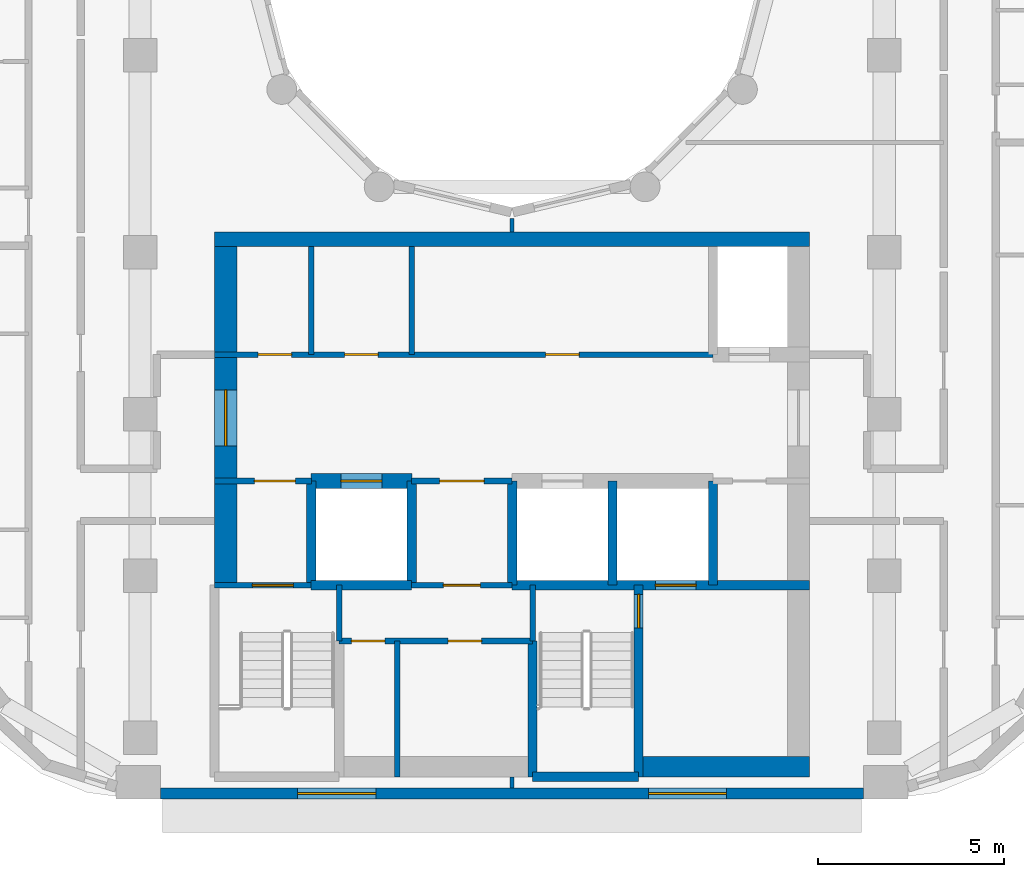
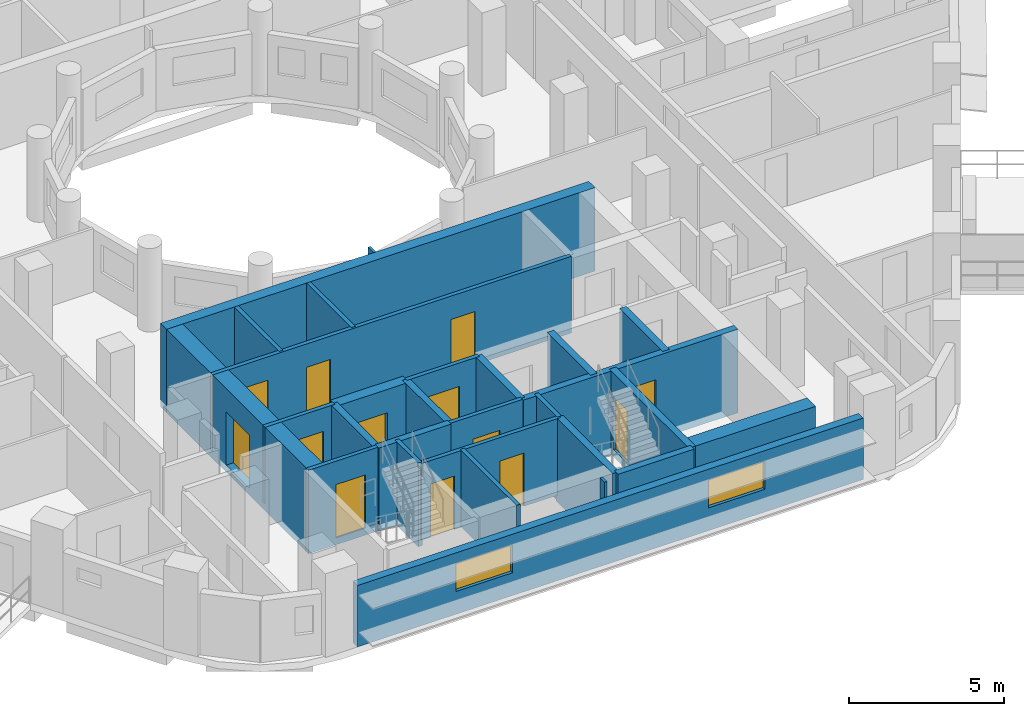
# One storey, part 3 of 15: 28 walls, 13 doors, 2 windows, 15 openings.
"""IFC4 building model written with IfcOpenShell, lengths in metres."""

from ifc_helpers import new_model, si_unit, direction, frame, frame_2d, origin, place, context, subcontext, project, spatial, rectangle, extrude, material, layer, layer_set, type_object, element, fill, save


model = new_model("IFC4")

# Units and contexts
model_context = context("Model", 3, precision=1e-05, world=origin(), true_north=direction((0.0, 1.0)))
body_context = subcontext(model_context, "Body", "Model", "MODEL_VIEW")
ifc_project = project(units=[si_unit("LENGTHUNIT", "METRE"), si_unit("AREAUNIT", "SQUARE_METRE"), si_unit("VOLUMEUNIT", "CUBIC_METRE"), si_unit("PLANEANGLEUNIT", "RADIAN"), si_unit("MASSUNIT", "GRAM", prefix="KILO")], contexts=[model_context])

# Site, building, storey
site_placement = place(None, origin())
site = spatial("IfcSite", under=ifc_project, at=site_placement, CompositionType="ELEMENT")
building_placement = place(site_placement, origin())
building = spatial("IfcBuilding", under=site, at=building_placement, Name="Nakaniwa Court", CompositionType="ELEMENT")
storey_placement = place(building_placement, frame((0.0, 0.0, 189.89990234375)))
storey = spatial("IfcBuildingStorey", under=building, at=storey_placement, Name="L49", CompositionType="ELEMENT", Elevation=189.89990234375)

# Wall, openings, windows
ifc_material_1 = material(Name="Charcoal ceramic cladding")
ifc_layer_1 = layer(ifc_material_1, 0.02, Name="Ceramic cladding")
ifc_material_2 = material(Name="Ventilated air cavity")
ifc_layer_2 = layer(ifc_material_2, 0.04, ventilated=True, Name="Ventilated cavity")
ifc_material_3 = material(Name="Mineral wool insulation")
ifc_layer_3 = layer(ifc_material_3, 0.1, Name="Insulation")
ifc_material_4 = material(Name="Cement bonded sheathing board")
ifc_layer_4 = layer(ifc_material_4, 0.012, Name="Sheathing")
ifc_material_5 = material(Name="Cold-formed galvanised stud frame with mineral wool infill")
ifc_layer_5 = layer(ifc_material_5, 0.1, Name="Stud frame")
ifc_material_6 = material(Name="Fire-rated gypsum plasterboard lining")
ifc_layer_6 = layer(ifc_material_6, 0.028, Name="Lining")
ifc_layer_set_1 = layer_set([ifc_layer_1, ifc_layer_2, ifc_layer_3, ifc_layer_4, ifc_layer_5, ifc_layer_6], Name="Charcoal ceramic faced external wall system")
wall_type_1 = type_object("IfcWallType", Name="Black ceramic faced external wall 300", PredefinedType="SOLIDWALL", material=ifc_layer_set_1)
wall_1_placement = place(storey_placement, frame((70.55078125, 57.5, 0.0), z_axis=(0.0, 0.0, 1.0), x_axis=(1.0, 0.0, 0.0)))
wall_1 = element("IfcWall", 1, at=wall_1_placement, inside=storey, type_object=wall_type_1, Name="L49 external wall 26", PredefinedType="SOLIDWALL", context=body_context, shape_type="SweptSolid", body=[
    extrude(rectangle(XDim=18.892822265625, YDim=0.300048828125, at=frame_2d((9.4462890625, 0.0))), origin(), (0.0, 0.0, 1.0), 2.425048828125),
])
opening_1_placement = place(wall_1_placement, frame((3.6865234375, 0.0, 0.89990234375)))
opening_1 = element("IfcOpeningElement", 2, at=opening_1_placement, cuts=wall_1, Name="Opening W7.27", PredefinedType="OPENING", context=body_context, shape_type="SweptSolid", body=[
    extrude(rectangle(XDim=2.10009765625, YDim=1.10009765625, at=frame_2d((1.050048828125, 0.550048828125))), frame((0.0, 0.159912109375, 0.0), z_axis=(0.0, -1.0, 0.0), x_axis=(1.0, 0.0, 0.0)), (0.0, 0.0, 1.0), 0.320068359375),
])
opening_2_placement = place(wall_1_placement, frame((13.10888671875, 0.0, 0.89990234375)))
opening_2 = element("IfcOpeningElement", 3, at=opening_2_placement, cuts=wall_1, Name="Opening W7.28", PredefinedType="OPENING", context=body_context, shape_type="SweptSolid", body=[
    extrude(rectangle(XDim=2.10009765625, YDim=1.10009765625, at=frame_2d((1.050048828125, 0.550048828125))), frame((0.0, 0.159912109375, 0.0), z_axis=(0.0, -1.0, 0.0), x_axis=(1.0, 0.0, 0.0)), (0.0, 0.0, 1.0), 0.320068359375),
])
ifc_material_7 = material(Name="Black anodised aluminium frame with dark low-E laminated double glazing", Category="aluminium")
window_type = type_object("IfcWindowType", Name="Dark glass window 2100x1100 sill 900", PartitioningType="SINGLE_PANEL", PredefinedType="WINDOW", material=ifc_material_7)
window_1_placement = place(opening_1_placement, origin())
window_1 = element("IfcWindow", 4, at=window_1_placement, inside=storey, type_object=window_type, Name="L49 habitable room window 26-0", OverallHeight=1.10009765625, OverallWidth=2.10009765625, PartitioningType="SINGLE_PANEL", PredefinedType="WINDOW", context=body_context, shape_type="SweptSolid", body=[
    extrude(rectangle(XDim=2.10009765625, YDim=1.10009765625, at=frame_2d((1.050048828125, 0.550048828125))), frame((0.0, 0.030029296875, 0.0), z_axis=(0.0, -1.0, 0.0), x_axis=(1.0, 0.0, 0.0)), (0.0, 0.0, 1.0), 0.06005859375),
])
fill(opening_1, window_1)
window_2_placement = place(opening_2_placement, origin())
window_2 = element("IfcWindow", 5, at=window_2_placement, inside=storey, type_object=window_type, Name="L49 habitable room window 26-1", OverallHeight=1.10009765625, OverallWidth=2.10009765625, PartitioningType="SINGLE_PANEL", PredefinedType="WINDOW", context=body_context, shape_type="SweptSolid", body=[
    extrude(rectangle(XDim=2.10009765625, YDim=1.10009765625, at=frame_2d((1.050048828125, 0.550048828125))), frame((0.0, 0.030029296875, 0.0), z_axis=(0.0, -1.0, 0.0), x_axis=(1.0, 0.0, 0.0)), (0.0, 0.0, 1.0), 0.06005859375),
])
fill(opening_2, window_2)

# Wall
ifc_material_8 = material(Name="Blockwork partition", Category="masonry")
ifc_layer_7 = layer(ifc_material_8, 0.14990234375)
ifc_layer_set_2 = layer_set([ifc_layer_7], Name="Blockwork partition")
wall_type_2 = type_object("IfcWallType", Name="Blockwork partition 150", PredefinedType="PARTITIONING", material=ifc_layer_set_2)
wall_2_placement = place(storey_placement, frame((74.60009765625, 69.300048828125, 0.0), z_axis=(0.0, 0.0, 1.0), x_axis=(0.0, 1.0, 0.0)))
element("IfcWall", 6, at=wall_2_placement, inside=storey, type_object=wall_type_2, Name="Partition PW-034", PredefinedType="PARTITIONING", context=body_context, shape_type="SweptSolid", body=[
    extrude(rectangle(XDim=2.89990234375, YDim=0.14990234375, at=frame_2d((1.449951171875, 0.0))), origin(), (0.0, 0.0, 1.0), 3.025146484375),
])

# Wall, openings, doors
wall_3_placement = place(storey_placement, frame((72.0, 69.300048828125, 0.0), z_axis=(0.0, 0.0, 1.0), x_axis=(1.0, 0.0, 0.0)))
wall_3 = element("IfcWall", 7, at=wall_3_placement, inside=storey, type_object=wall_type_2, Name="Partition PW-035", PredefinedType="PARTITIONING", context=body_context, shape_type="SweptSolid", body=[
    extrude(rectangle(XDim=13.39990234375, YDim=0.14990234375, at=frame_2d((6.699951171875, 0.0))), origin(), (0.0, 0.0, 1.0), 3.025146484375),
])
opening_3_placement = place(wall_3_placement, frame((1.175048828125, 0.0, 0.0)))
opening_3 = element("IfcOpeningElement", 8, at=opening_3_placement, cuts=wall_3, Name="Opening D-05-07", PredefinedType="OPENING", context=body_context, shape_type="SweptSolid", body=[
    extrude(rectangle(XDim=0.89990234375, YDim=2.10009765625, at=frame_2d((0.449951171875, 1.050048828125))), frame((0.0, 0.0849609375, 0.0), z_axis=(0.0, -1.0, 0.0), x_axis=(1.0, 0.0, 0.0)), (0.0, 0.0, 1.0), 0.169921875),
])
opening_4_placement = place(wall_3_placement, frame((3.5, 0.0, 0.0)))
opening_4 = element("IfcOpeningElement", 9, at=opening_4_placement, cuts=wall_3, Name="Opening D-05-08", PredefinedType="OPENING", context=body_context, shape_type="SweptSolid", body=[
    extrude(rectangle(XDim=0.89990234375, YDim=2.10009765625, at=frame_2d((0.449951171875, 1.050048828125))), frame((0.0, 0.0849609375, 0.0), z_axis=(0.0, -1.0, 0.0), x_axis=(1.0, 0.0, 0.0)), (0.0, 0.0, 1.0), 0.169921875),
])
opening_5_placement = place(wall_3_placement, frame((8.89990234375, 0.0, 0.0)))
opening_5 = element("IfcOpeningElement", 10, at=opening_5_placement, cuts=wall_3, Name="Opening D-05-09", PredefinedType="OPENING", context=body_context, shape_type="SweptSolid", body=[
    extrude(rectangle(XDim=0.89990234375, YDim=2.10009765625, at=frame_2d((0.449951171875, 1.050048828125))), frame((0.0, 0.0849609375, 0.0), z_axis=(0.0, -1.0, 0.0), x_axis=(1.0, 0.0, 0.0)), (0.0, 0.0, 1.0), 0.169921875),
])
ifc_material_9 = material(Name="Fire rated steel door set", Category="steel")
door_type_1 = type_object("IfcDoorType", Name="Service room door 900", OperationType="NOTDEFINED", PredefinedType="DOOR", material=ifc_material_9)
door_1_placement = place(opening_3_placement, origin())
door_1 = element("IfcDoor", 11, at=door_1_placement, inside=storey, type_object=door_type_1, Name="Door D-05-07 L49-012", OperationType="SINGLE_SWING_LEFT", OverallHeight=2.10009765625, OverallWidth=0.89990234375, PredefinedType="DOOR", context=body_context, shape_type="SweptSolid", body=[
    extrude(rectangle(XDim=0.89990234375, YDim=2.10009765625, at=frame_2d((0.449951171875, 1.050048828125))), frame((0.0, 0.02490234375, 0.0), z_axis=(0.0, -1.0, 0.0), x_axis=(1.0, 0.0, 0.0)), (0.0, 0.0, 1.0), 0.050048828125),
])
fill(opening_3, door_1)
door_2_placement = place(opening_4_placement, origin())
door_2 = element("IfcDoor", 12, at=door_2_placement, inside=storey, type_object=door_type_1, Name="Door D-05-08 L49-013", OperationType="SINGLE_SWING_RIGHT", OverallHeight=2.10009765625, OverallWidth=0.89990234375, PredefinedType="DOOR", context=body_context, shape_type="SweptSolid", body=[
    extrude(rectangle(XDim=0.89990234375, YDim=2.10009765625, at=frame_2d((0.449951171875, 1.050048828125))), frame((0.0, 0.02490234375, 0.0), z_axis=(0.0, -1.0, 0.0), x_axis=(1.0, 0.0, 0.0)), (0.0, 0.0, 1.0), 0.050048828125),
])
fill(opening_4, door_2)
door_3_placement = place(opening_5_placement, origin())
door_3 = element("IfcDoor", 13, at=door_3_placement, inside=storey, type_object=door_type_1, Name="Door D-05-09 L49-014", OperationType="SINGLE_SWING_LEFT", OverallHeight=2.10009765625, OverallWidth=0.89990234375, PredefinedType="DOOR", context=body_context, shape_type="SweptSolid", body=[
    extrude(rectangle(XDim=0.89990234375, YDim=2.10009765625, at=frame_2d((0.449951171875, 1.050048828125))), frame((0.0, 0.02490234375, 0.0), z_axis=(0.0, -1.0, 0.0), x_axis=(1.0, 0.0, 0.0)), (0.0, 0.0, 1.0), 0.050048828125),
])
fill(opening_5, door_3)

# Wall
wall_4_placement = place(storey_placement, frame((77.300048828125, 69.300048828125, 0.0), z_axis=(0.0, 0.0, 1.0), x_axis=(0.0, 1.0, 0.0)))
element("IfcWall", 14, at=wall_4_placement, inside=storey, type_object=wall_type_2, Name="Partition PW-041", PredefinedType="PARTITIONING", context=body_context, shape_type="SweptSolid", body=[
    extrude(rectangle(XDim=2.89990234375, YDim=0.14990234375, at=frame_2d((1.449951171875, 0.0))), origin(), (0.0, 0.0, 1.0), 3.025146484375),
])

# Wall, opening, door
wall_5_placement = place(storey_placement, frame((74.60302734375, 65.89990234375, 0.0), z_axis=(0.0, 0.0, 1.0), x_axis=(-1.0, 0.0, 0.0)))
wall_5 = element("IfcWall", 15, at=wall_5_placement, inside=storey, type_object=wall_type_2, Name="Partition PW-042", PredefinedType="PARTITIONING", context=body_context, shape_type="SweptSolid", body=[
    extrude(rectangle(XDim=2.60302734375, YDim=0.14990234375, at=frame_2d((1.301513671875, 0.0))), origin(), (0.0, 0.0, 1.0), 3.025146484375),
])
opening_6_placement = place(wall_5_placement, frame((0.427978515625, 0.0, 0.0)))
opening_6 = element("IfcOpeningElement", 16, at=opening_6_placement, cuts=wall_5, Name="Opening D-08-02", PredefinedType="OPENING", context=body_context, shape_type="SweptSolid", body=[
    extrude(rectangle(XDim=1.10009765625, YDim=2.10009765625, at=frame_2d((0.550048828125, 1.050048828125))), frame((0.0, 0.0849609375, 0.0), z_axis=(0.0, -1.0, 0.0), x_axis=(1.0, 0.0, 0.0)), (0.0, 0.0, 1.0), 0.169921875),
])
door_type_2 = type_object("IfcDoorType", Name="Stair lobby door 1100", OperationType="NOTDEFINED", PredefinedType="DOOR", material=ifc_material_9)
door_4_placement = place(opening_6_placement, origin())
door_4 = element("IfcDoor", 17, at=door_4_placement, inside=storey, type_object=door_type_2, Name="Door D-08-02 L49-015", OperationType="SINGLE_SWING_RIGHT", OverallHeight=2.10009765625, OverallWidth=1.10009765625, PredefinedType="DOOR", context=body_context, shape_type="SweptSolid", body=[
    extrude(rectangle(XDim=1.10009765625, YDim=2.10009765625, at=frame_2d((0.550048828125, 1.050048828125))), frame((0.0, 0.02490234375, 0.0), z_axis=(0.0, -1.0, 0.0), x_axis=(1.0, 0.0, 0.0)), (0.0, 0.0, 1.0), 0.050048828125),
])
fill(opening_6, door_4)

wall_6_placement = place(storey_placement, frame((80.0029296875, 65.89990234375, 0.0), z_axis=(0.0, 0.0, 1.0), x_axis=(-1.0, 0.0, 0.0)))
wall_6 = element("IfcWall", 18, at=wall_6_placement, inside=storey, type_object=wall_type_2, Name="Partition PW-043", PredefinedType="PARTITIONING", context=body_context, shape_type="SweptSolid", body=[
    extrude(rectangle(XDim=2.705810546875, YDim=0.14990234375, at=frame_2d((1.35302734375, 0.0))), origin(), (0.0, 0.0, 1.0), 3.025146484375),
])
opening_7_placement = place(wall_6_placement, frame((0.7529296875, 0.0, 0.0)))
opening_7 = element("IfcOpeningElement", 19, at=opening_7_placement, cuts=wall_6, Name="Opening D-06-02", PredefinedType="OPENING", context=body_context, shape_type="SweptSolid", body=[
    extrude(rectangle(XDim=1.199951171875, YDim=2.10009765625, at=frame_2d((0.60009765625, 1.050048828125))), frame((0.0, 0.0849609375, 0.0), z_axis=(0.0, -1.0, 0.0), x_axis=(1.0, 0.0, 0.0)), (0.0, 0.0, 1.0), 0.169921875),
])
ifc_material_10 = material(Name="Fire rated steel double door set", Category="steel")
door_type_3 = type_object("IfcDoorType", Name="Service passage double door 1200", OperationType="NOTDEFINED", PredefinedType="DOOR", material=ifc_material_10)
door_5_placement = place(opening_7_placement, origin())
door_5 = element("IfcDoor", 20, at=door_5_placement, inside=storey, type_object=door_type_3, Name="Door D-06-02 L49-016", OperationType="DOUBLE_DOOR_SINGLE_SWING", OverallHeight=2.10009765625, OverallWidth=1.199951171875, PredefinedType="DOOR", context=body_context, shape_type="SweptSolid", body=[
    extrude(rectangle(XDim=1.199951171875, YDim=2.10009765625, at=frame_2d((0.60009765625, 1.050048828125))), frame((0.0, 0.02490234375, 0.0), z_axis=(0.0, -1.0, 0.0), x_axis=(1.0, 0.0, 0.0)), (0.0, 0.0, 1.0), 0.050048828125),
])
fill(opening_7, door_5)

wall_7_placement = place(storey_placement, frame((80.0, 63.10009765625, 0.0), z_axis=(0.0, 0.0, 1.0), x_axis=(-1.0, 0.0, 0.0)))
wall_7 = element("IfcWall", 21, at=wall_7_placement, inside=storey, type_object=wall_type_2, Name="Partition PW-053", PredefinedType="PARTITIONING", context=body_context, shape_type="SweptSolid", body=[
    extrude(rectangle(XDim=2.699951171875, YDim=0.14990234375, at=frame_2d((1.35009765625, 0.0))), origin(), (0.0, 0.0, 1.0), 3.025146484375),
])
opening_8_placement = place(wall_7_placement, frame((0.85009765625, 0.0, 0.0)))
opening_8 = element("IfcOpeningElement", 22, at=opening_8_placement, cuts=wall_7, Name="Opening D-23-02", PredefinedType="OPENING", context=body_context, shape_type="SweptSolid", body=[
    extrude(rectangle(XDim=1.0, YDim=2.10009765625, at=frame_2d((0.5, 1.050048828125))), frame((0.0, 0.0849609375, 0.0), z_axis=(0.0, -1.0, 0.0), x_axis=(1.0, 0.0, 0.0)), (0.0, 0.0, 1.0), 0.169921875),
])
door_type_4 = type_object("IfcDoorType", Name="Service room door 1000", OperationType="NOTDEFINED", PredefinedType="DOOR", material=ifc_material_9)
door_6_placement = place(opening_8_placement, origin())
door_6 = element("IfcDoor", 23, at=door_6_placement, inside=storey, type_object=door_type_4, Name="Door D-23-02 L49-018", OperationType="SINGLE_SWING_LEFT", OverallHeight=2.10009765625, OverallWidth=1.0, PredefinedType="DOOR", context=body_context, shape_type="SweptSolid", body=[
    extrude(rectangle(XDim=1.0, YDim=2.10009765625, at=frame_2d((0.5, 1.050048828125))), frame((0.0, 0.02490234375, 0.0), z_axis=(0.0, -1.0, 0.0), x_axis=(1.0, 0.0, 0.0)), (0.0, 0.0, 1.0), 0.050048828125),
])
fill(opening_8, door_6)

# Wall, openings, doors
wall_8_placement = place(storey_placement, frame((80.550048828125, 61.60009765625, 0.0), z_axis=(0.0, 0.0, 1.0), x_axis=(-1.0, 0.0, 0.0)))
wall_8 = element("IfcWall", 24, at=wall_8_placement, inside=storey, type_object=wall_type_2, Name="Partition PW-065", PredefinedType="PARTITIONING", context=body_context, shape_type="SweptSolid", body=[
    extrude(rectangle(XDim=5.199951171875, YDim=0.14990234375, at=frame_2d((2.60009765625, 0.0))), origin(), (0.0, 0.0, 1.0), 3.025146484375),
])
opening_9_placement = place(wall_8_placement, frame((3.969970703125, 0.0, 0.0)))
opening_9 = element("IfcOpeningElement", 25, at=opening_9_placement, cuts=wall_8, Name="Opening D-05-11", PredefinedType="OPENING", context=body_context, shape_type="SweptSolid", body=[
    extrude(rectangle(XDim=0.89990234375, YDim=2.10009765625, at=frame_2d((0.449951171875, 1.050048828125))), frame((0.0, 0.0849609375, 0.0), z_axis=(0.0, -1.0, 0.0), x_axis=(1.0, 0.0, 0.0)), (0.0, 0.0, 1.0), 0.169921875),
])
opening_10_placement = place(wall_8_placement, frame((1.3701171875, 0.0, 0.0)))
opening_10 = element("IfcOpeningElement", 26, at=opening_10_placement, cuts=wall_8, Name="Opening D-05-12", PredefinedType="OPENING", context=body_context, shape_type="SweptSolid", body=[
    extrude(rectangle(XDim=0.89990234375, YDim=2.10009765625, at=frame_2d((0.449951171875, 1.050048828125))), frame((0.0, 0.0849609375, 0.0), z_axis=(0.0, -1.0, 0.0), x_axis=(1.0, 0.0, 0.0)), (0.0, 0.0, 1.0), 0.169921875),
])
door_7_placement = place(opening_9_placement, origin())
door_7 = element("IfcDoor", 27, at=door_7_placement, inside=storey, type_object=door_type_1, Name="Door D-05-11 L49-019", OperationType="SINGLE_SWING_RIGHT", OverallHeight=2.10009765625, OverallWidth=0.89990234375, PredefinedType="DOOR", context=body_context, shape_type="SweptSolid", body=[
    extrude(rectangle(XDim=0.89990234375, YDim=2.10009765625, at=frame_2d((0.449951171875, 1.050048828125))), frame((0.0, 0.02490234375, 0.0), z_axis=(0.0, -1.0, 0.0), x_axis=(1.0, 0.0, 0.0)), (0.0, 0.0, 1.0), 0.050048828125),
])
fill(opening_9, door_7)
door_8_placement = place(opening_10_placement, origin())
door_8 = element("IfcDoor", 28, at=door_8_placement, inside=storey, type_object=door_type_1, Name="Door D-05-12 L49-020", OperationType="SINGLE_SWING_LEFT", OverallHeight=2.10009765625, OverallWidth=0.89990234375, PredefinedType="DOOR", context=body_context, shape_type="SweptSolid", body=[
    extrude(rectangle(XDim=0.89990234375, YDim=2.10009765625, at=frame_2d((0.449951171875, 1.050048828125))), frame((0.0, 0.02490234375, 0.0), z_axis=(0.0, -1.0, 0.0), x_axis=(1.0, 0.0, 0.0)), (0.0, 0.0, 1.0), 0.050048828125),
])
fill(opening_10, door_8)

# Wall
wall_9_placement = place(storey_placement, frame((76.909912109375, 57.949951171875, 0.0), z_axis=(0.0, 0.0, 1.0), x_axis=(0.0, 1.0, 0.0)))
element("IfcWall", 29, at=wall_9_placement, inside=storey, type_object=wall_type_2, Name="Partition PW-066", PredefinedType="PARTITIONING", context=body_context, shape_type="SweptSolid", body=[
    extrude(rectangle(XDim=3.650146484375, YDim=0.14990234375, at=frame_2d((1.8251953125, 0.0))), origin(), (0.0, 0.0, 1.0), 3.025146484375),
])

# Wall, opening, door
ifc_material_11 = material(Name="Concrete C80/100", Category="concrete")
ifc_layer_8 = layer(ifc_material_11, 0.60009765625)
ifc_layer_set_3 = layer_set([ifc_layer_8], Name="Concrete C80/100")
wall_type_3 = type_object("IfcWallType", Name="Concrete core side wall 600 C80", PredefinedType="SHEAR", material=ifc_layer_set_3)
wall_10_placement = place(storey_placement, frame((72.300048828125, 63.10009765625, -0.27490234375), z_axis=(0.0, 0.0, 1.0), x_axis=(0.0, 1.0, 0.0)))
wall_10 = element("IfcWall", 30, at=wall_10_placement, inside=storey, type_object=wall_type_3, Name="Core wall SW-36", PredefinedType="SHEAR", context=body_context, shape_type="SweptSolid", body=[
    extrude(rectangle(XDim=9.099853515625, YDim=0.60009765625, at=frame_2d((4.5498046875, 0.0))), origin(), (0.0, 0.0, 1.0), 3.300048828125),
])
opening_11_placement = place(wall_10_placement, frame((3.748046875, 0.0, 0.27490234375)))
opening_11 = element("IfcOpeningElement", 31, at=opening_11_placement, cuts=wall_10, Name="Opening D-07-04", PredefinedType="OPENING", context=body_context, shape_type="SweptSolid", body=[
    extrude(rectangle(XDim=1.5, YDim=2.10009765625, at=frame_2d((0.75, 1.050048828125))), frame((0.0, 0.31005859375, 0.0), z_axis=(0.0, -1.0, 0.0), x_axis=(1.0, 0.0, 0.0)), (0.0, 0.0, 1.0), 0.6201171875),
])
ifc_material_12 = material(Name="Glazed fire rated steel double door set", Category="steel")
door_type_5 = type_object("IfcDoorType", Name="Lobby double door 1500", OperationType="NOTDEFINED", PredefinedType="DOOR", material=ifc_material_12)
door_9_placement = place(opening_11_placement, origin())
door_9 = element("IfcDoor", 32, at=door_9_placement, inside=storey, type_object=door_type_5, Name="Door D-07-04 L49-055", OperationType="DOUBLE_DOOR_SINGLE_SWING", OverallHeight=2.10009765625, OverallWidth=1.5, PredefinedType="DOOR", context=body_context, shape_type="SweptSolid", body=[
    extrude(rectangle(XDim=1.5, YDim=2.10009765625, at=frame_2d((0.75, 1.050048828125))), frame((0.0, 0.02490234375, 0.0), z_axis=(0.0, -1.0, 0.0), x_axis=(1.0, 0.0, 0.0)), (0.0, 0.0, 1.0), 0.050048828125),
])
fill(opening_11, door_9)

ifc_layer_9 = layer(ifc_material_11, 0.39990234375)
ifc_layer_set_4 = layer_set([ifc_layer_9], Name="Concrete C80/100")
wall_type_4 = type_object("IfcWallType", Name="Concrete core spine wall 400 C80", PredefinedType="SHEAR", material=ifc_layer_set_4)
wall_11_placement = place(storey_placement, frame((74.596923828125, 65.89990234375, -0.27490234375), z_axis=(0.0, 0.0, 1.0), x_axis=(1.0, 0.0, 0.0)))
wall_11 = element("IfcWall", 33, at=wall_11_placement, inside=storey, type_object=wall_type_4, Name="Core wall SW-45", PredefinedType="SHEAR", context=body_context, shape_type="SweptSolid", body=[
    extrude(rectangle(XDim=2.7060546875, YDim=0.39990234375, at=frame_2d((1.35302734375, 0.0))), origin(), (0.0, 0.0, 1.0), 3.300048828125),
])
opening_12_placement = place(wall_11_placement, frame((0.802978515625, 0.0, 0.27490234375)))
opening_12 = element("IfcOpeningElement", 34, at=opening_12_placement, cuts=wall_11, Name="Opening LD06", PredefinedType="OPENING", context=body_context, shape_type="SweptSolid", body=[
    extrude(rectangle(XDim=1.10009765625, YDim=2.10009765625, at=frame_2d((0.550048828125, 1.050048828125))), frame((0.0, 0.2099609375, 0.0), z_axis=(0.0, -1.0, 0.0), x_axis=(1.0, 0.0, 0.0)), (0.0, 0.0, 1.0), 0.419921875),
])
ifc_material_13 = material(Name="Stainless steel sliding lift landing door", Category="steel")
door_type_6 = type_object("IfcDoorType", Name="Lift landing door 1100", OperationType="NOTDEFINED", PredefinedType="DOOR", material=ifc_material_13)
door_10_placement = place(opening_12_placement, origin())
door_10 = element("IfcDoor", 35, at=door_10_placement, inside=storey, type_object=door_type_6, Name="Lift landing door LD06 L49-006", OperationType="SLIDING_TO_LEFT", OverallHeight=2.10009765625, OverallWidth=1.10009765625, PredefinedType="DOOR", context=body_context, shape_type="SweptSolid", body=[
    extrude(rectangle(XDim=1.10009765625, YDim=2.10009765625, at=frame_2d((0.550048828125, 1.050048828125))), frame((0.0, 0.02490234375, 0.0), z_axis=(0.0, -1.0, 0.0), x_axis=(1.0, 0.0, 0.0)), (0.0, 0.0, 1.0), 0.050048828125),
])
fill(opening_12, door_10)

ifc_layer_10 = layer(ifc_material_11, 0.14990234375)
ifc_layer_set_5 = layer_set([ifc_layer_10], Name="Concrete C80/100")
wall_type_5 = type_object("IfcWallType", Name="Concrete core wall 150 C80", PredefinedType="SHEAR", material=ifc_layer_set_5)
wall_12_placement = place(storey_placement, frame((72.0, 63.10009765625, -0.27490234375), z_axis=(0.0, 0.0, 1.0), x_axis=(1.0, 0.0, 0.0)))
wall_12 = element("IfcWall", 36, at=wall_12_placement, inside=storey, type_object=wall_type_5, Name="Core wall SW-48", PredefinedType="SHEAR", context=body_context, shape_type="SweptSolid", body=[
    extrude(rectangle(XDim=2.60009765625, YDim=0.14990234375, at=frame_2d((1.300048828125, 0.0))), origin(), (0.0, 0.0, 1.0), 3.300048828125),
])
opening_13_placement = place(wall_12_placement, frame((1.02001953125, 0.0, 0.27490234375)))
opening_13 = element("IfcOpeningElement", 37, at=opening_13_placement, cuts=wall_12, Name="Opening D-09-02", PredefinedType="OPENING", context=body_context, shape_type="SweptSolid", body=[
    extrude(rectangle(XDim=1.10009765625, YDim=2.10009765625, at=frame_2d((0.550048828125, 1.050048828125))), frame((0.0, 0.0849609375, 0.0), z_axis=(0.0, -1.0, 0.0), x_axis=(1.0, 0.0, 0.0)), (0.0, 0.0, 1.0), 0.169921875),
])
door_type_7 = type_object("IfcDoorType", Name="Stair door 1100", OperationType="NOTDEFINED", PredefinedType="DOOR", material=ifc_material_9)
door_11_placement = place(opening_13_placement, origin())
door_11 = element("IfcDoor", 38, at=door_11_placement, inside=storey, type_object=door_type_7, Name="Door D-09-02 L49-021", OperationType="SINGLE_SWING_LEFT", OverallHeight=2.10009765625, OverallWidth=1.10009765625, PredefinedType="DOOR", context=body_context, shape_type="SweptSolid", body=[
    extrude(rectangle(XDim=1.10009765625, YDim=2.10009765625, at=frame_2d((0.550048828125, 1.050048828125))), frame((0.0, 0.02490234375, 0.0), z_axis=(0.0, -1.0, 0.0), x_axis=(1.0, 0.0, 0.0)), (0.0, 0.0, 1.0), 0.050048828125),
])
fill(opening_13, door_11)

# Walls
for number, where, z_axis, x_axis, name in (
    (39, (75.35009765625, 61.596923828125, -0.27490234375), (0.0, 0.0, 1.0), (0.0, 1.0, 0.0), "Core wall SW-55"),
    (40, (80.550048828125, 61.596923828125, -0.27490234375), (0.0, 0.0, 1.0), (0.0, 1.0, 0.0), "Core wall SW-61"),
):
    element("IfcWall", number, at=place(storey_placement, frame(where, z_axis=z_axis, x_axis=x_axis)), inside=storey, type_object=wall_type_5, Name=name, PredefinedType="SHEAR", context=body_context, shape_type="SweptSolid", body=[
        extrude(rectangle(XDim=1.503173828125, YDim=0.14990234375, at=frame_2d((0.75146484375, 0.0))), origin(), (0.0, 0.0, 1.0), 3.300048828125),
    ])
ifc_layer_11 = layer(ifc_material_11, 0.25)
ifc_layer_set_6 = layer_set([ifc_layer_11], Name="Concrete C80/100")
wall_type_6 = type_object("IfcWallType", Name="Concrete core wall 250 C80", PredefinedType="SHEAR", material=ifc_layer_set_6)
wall_13_placement = place(storey_placement, frame((80.550048828125, 57.949951171875, -0.27490234375), z_axis=(0.0, 0.0, 1.0), x_axis=(1.0, 0.0, 0.0)))
element("IfcWall", 41, at=wall_13_placement, inside=storey, type_object=wall_type_6, Name="Core wall SW-59", PredefinedType="SHEAR", context=body_context, shape_type="SweptSolid", body=[
    extrude(rectangle(XDim=2.849853515625, YDim=0.25, at=frame_2d((1.4248046875, 0.0))), origin(), (0.0, 0.0, 1.0), 3.300048828125),
])
ifc_layer_12 = layer(ifc_material_11, 0.550048828125)
ifc_layer_set_7 = layer_set([ifc_layer_12], Name="Concrete C80/100")
wall_type_7 = type_object("IfcWallType", Name="Concrete core wall 550 C80", PredefinedType="SHEAR", material=ifc_layer_set_7)
wall_14_placement = place(storey_placement, frame((83.39990234375, 58.22509765625, -0.27490234375), z_axis=(0.0, 0.0, 1.0), x_axis=(1.0, 0.0, 0.0)))
element("IfcWall", 42, at=wall_14_placement, inside=storey, type_object=wall_type_7, Name="Core wall SW-64", PredefinedType="SHEAR", context=body_context, shape_type="SweptSolid", body=[
    extrude(rectangle(XDim=4.60009765625, YDim=0.550048828125, at=frame_2d((2.300048828125, 0.0))), origin(), (0.0, 0.0, 1.0), 3.300048828125),
])
ifc_layer_13 = layer(ifc_material_11, 0.39990234375)
ifc_layer_set_8 = layer_set([ifc_layer_13], Name="Concrete C80/100")
wall_type_8 = type_object("IfcWallType", Name="Concrete core well wall 400 C80", PredefinedType="SHEAR", material=ifc_layer_set_8)
wall_15_placement = place(storey_placement, frame((72.00390625, 72.39990234375, -0.27490234375), z_axis=(0.0, 0.0, 1.0), x_axis=(1.0, 0.0, 0.0)))
element("IfcWall", 43, at=wall_15_placement, inside=storey, type_object=wall_type_8, Name="Core wall SW-133", PredefinedType="SHEAR", context=body_context, shape_type="SweptSolid", body=[
    extrude(rectangle(XDim=15.9921875, YDim=0.39990234375, at=frame_2d((7.99609375, 0.0))), origin(), (0.0, 0.0, 1.0), 3.300048828125),
])
ifc_layer_14 = layer(ifc_material_11, 0.25)
ifc_layer_set_9 = layer_set([ifc_layer_14], Name="Concrete C80/100")
wall_type_9 = type_object("IfcWallType", Name="Concrete shaft wall 250 C80", PredefinedType="SHEAR", material=ifc_layer_set_9)
for number, where, z_axis, x_axis, name in (
    (44, (85.39990234375, 63.10009765625, -0.27490234375), (0.0, 0.0, 1.0), (0.0, 1.0, 0.0), "Core wall SW-37"),
    (45, (74.60009765625, 63.10009765625, -0.27490234375), (0.0, 0.0, 1.0), (0.0, 1.0, 0.0), "Core wall SW-47"),
    (46, (77.300048828125, 63.10009765625, -0.27490234375), (0.0, 0.0, 1.0), (0.0, 1.0, 0.0), "Core wall SW-49"),
):
    element("IfcWall", number, at=place(storey_placement, frame(where, z_axis=z_axis, x_axis=x_axis)), inside=storey, type_object=wall_type_9, Name=name, PredefinedType="SHEAR", context=body_context, shape_type="SweptSolid", body=[
        extrude(rectangle(XDim=2.7998046875, YDim=0.25, at=frame_2d((1.39990234375, 0.0))), origin(), (0.0, 0.0, 1.0), 3.300048828125),
    ])
wall_16_placement = place(storey_placement, frame((74.60009765625, 63.10009765625, -0.27490234375), z_axis=(0.0, 0.0, 1.0), x_axis=(1.0, 0.0, 0.0)))
element("IfcWall", 47, at=wall_16_placement, inside=storey, type_object=wall_type_9, Name="Core wall SW-50", PredefinedType="SHEAR", context=body_context, shape_type="SweptSolid", body=[
    extrude(rectangle(XDim=2.699951171875, YDim=0.25, at=frame_2d((1.35009765625, 0.0))), origin(), (0.0, 0.0, 1.0), 3.300048828125),
])

# Wall, opening, door
wall_17_placement = place(storey_placement, frame((80.0, 63.10009765625, -0.27490234375), z_axis=(0.0, 0.0, 1.0), x_axis=(1.0, 0.0, 0.0)))
wall_17 = element("IfcWall", 48, at=wall_17_placement, inside=storey, type_object=wall_type_9, Name="Core wall SW-51", PredefinedType="SHEAR", context=body_context, shape_type="SweptSolid", body=[
    extrude(rectangle(XDim=8.0, YDim=0.25, at=frame_2d((4.0, 0.0))), origin(), (0.0, 0.0, 1.0), 3.300048828125),
])
opening_14_placement = place(wall_17_placement, frame((3.84912109375, 0.0, 0.27490234375)))
opening_14 = element("IfcOpeningElement", 49, at=opening_14_placement, cuts=wall_17, Name="Opening LD08", PredefinedType="OPENING", context=body_context, shape_type="SweptSolid", body=[
    extrude(rectangle(XDim=1.10009765625, YDim=2.10009765625, at=frame_2d((0.550048828125, 1.050048828125))), frame((0.0, 0.135009765625, 0.0), z_axis=(0.0, -1.0, 0.0), x_axis=(1.0, 0.0, 0.0)), (0.0, 0.0, 1.0), 0.27001953125),
])
door_12_placement = place(opening_14_placement, origin())
door_12 = element("IfcDoor", 50, at=door_12_placement, inside=storey, type_object=door_type_6, Name="Lift landing door LD08 L49-008", OperationType="SLIDING_TO_LEFT", OverallHeight=2.10009765625, OverallWidth=1.10009765625, PredefinedType="DOOR", context=body_context, shape_type="SweptSolid", body=[
    extrude(rectangle(XDim=1.10009765625, YDim=2.10009765625, at=frame_2d((0.550048828125, 1.050048828125))), frame((0.0, 0.02490234375, 0.0), z_axis=(0.0, -1.0, 0.0), x_axis=(1.0, 0.0, 0.0)), (0.0, 0.0, 1.0), 0.050048828125),
])
fill(opening_14, door_12)

# Walls
for number, where, z_axis, x_axis, name in (
    (51, (80.0, 63.10009765625, -0.27490234375), (0.0, 0.0, 1.0), (0.0, 1.0, 0.0), "Core wall SW-52"),
    (52, (82.699951171875, 63.10009765625, -0.27490234375), (0.0, 0.0, 1.0), (0.0, 1.0, 0.0), "Core wall SW-54"),
):
    element("IfcWall", number, at=place(storey_placement, frame(where, z_axis=z_axis, x_axis=x_axis)), inside=storey, type_object=wall_type_9, Name=name, PredefinedType="SHEAR", context=body_context, shape_type="SweptSolid", body=[
        extrude(rectangle(XDim=2.7998046875, YDim=0.25, at=frame_2d((1.39990234375, 0.0))), origin(), (0.0, 0.0, 1.0), 3.300048828125),
    ])

# Wall, opening, door
wall_18_placement = place(storey_placement, frame((83.39990234375, 63.10009765625, -0.27490234375), z_axis=(0.0, 0.0, 1.0), x_axis=(0.0, -1.0, 0.0)))
wall_18 = element("IfcWall", 53, at=wall_18_placement, inside=storey, type_object=wall_type_9, Name="Core wall SW-60", PredefinedType="SHEAR", context=body_context, shape_type="SweptSolid", body=[
    extrude(rectangle(XDim=5.150146484375, YDim=0.25, at=frame_2d((2.5751953125, 0.0))), origin(), (0.0, 0.0, 1.0), 3.300048828125),
])
opening_15_placement = place(wall_18_placement, frame((0.25, 0.0, 0.27490234375)))
opening_15 = element("IfcOpeningElement", 54, at=opening_15_placement, cuts=wall_18, Name="Opening D-11-02", PredefinedType="OPENING", context=body_context, shape_type="SweptSolid", body=[
    extrude(rectangle(XDim=0.89990234375, YDim=2.10009765625, at=frame_2d((0.449951171875, 1.050048828125))), frame((0.0, 0.135009765625, 0.0), z_axis=(0.0, -1.0, 0.0), x_axis=(1.0, 0.0, 0.0)), (0.0, 0.0, 1.0), 0.27001953125),
])
door_type_8 = type_object("IfcDoorType", Name="Stair door 900", OperationType="NOTDEFINED", PredefinedType="DOOR", material=ifc_material_9)
door_13_placement = place(opening_15_placement, origin())
door_13 = element("IfcDoor", 55, at=door_13_placement, inside=storey, type_object=door_type_8, Name="Door D-11-02 L49-022", OperationType="SINGLE_SWING_RIGHT", OverallHeight=2.10009765625, OverallWidth=0.89990234375, PredefinedType="DOOR", context=body_context, shape_type="SweptSolid", body=[
    extrude(rectangle(XDim=0.89990234375, YDim=2.10009765625, at=frame_2d((0.449951171875, 1.050048828125))), frame((0.0, 0.02490234375, 0.0), z_axis=(0.0, -1.0, 0.0), x_axis=(1.0, 0.0, 0.0)), (0.0, 0.0, 1.0), 0.050048828125),
])
fill(opening_15, door_13)

# Walls
wall_19_placement = place(storey_placement, frame((80.550048828125, 57.949951171875, -0.27490234375), z_axis=(0.0, 0.0, 1.0), x_axis=(0.0, 1.0, 0.0)))
element("IfcWall", 56, at=wall_19_placement, inside=storey, type_object=wall_type_9, Name="Core wall SW-62", PredefinedType="SHEAR", context=body_context, shape_type="SweptSolid", body=[
    extrude(rectangle(XDim=3.653076171875, YDim=0.25, at=frame_2d((1.82666015625, 0.0))), origin(), (0.0, 0.0, 1.0), 3.300048828125),
])
ifc_material_14 = material(Name="Single stud plasterboard partition")
ifc_layer_15 = layer(ifc_material_14, 0.10009765625)
ifc_layer_set_10 = layer_set([ifc_layer_15], Name="Single stud plasterboard partition")
wall_type_10 = type_object("IfcWallType", Name="Single stud plasterboard partition 100", PredefinedType="PARTITIONING", material=ifc_layer_set_10)
wall_20_placement = place(storey_placement, frame((80.0, 57.64990234375, 0.0), z_axis=(0.0, 0.0, 1.0), x_axis=(0.0, 1.0, 0.0)))
element("IfcWall", 57, at=wall_20_placement, inside=storey, type_object=wall_type_10, Name="Partition PW-107", PredefinedType="PARTITIONING", context=body_context, shape_type="SweptSolid", body=[
    extrude(rectangle(XDim=0.300048828125, YDim=0.10009765625, at=frame_2d((0.14990234375, 0.0))), origin(), (0.0, 0.0, 1.0), 3.025146484375),
])
wall_21_placement = place(storey_placement, frame((80.0, 72.60009765625, 0.0), z_axis=(0.0, 0.0, 1.0), x_axis=(0.0, 1.0, 0.0)))
element("IfcWall", 58, at=wall_21_placement, inside=storey, type_object=wall_type_10, Name="Partition PW-108", PredefinedType="PARTITIONING", context=body_context, shape_type="SweptSolid", body=[
    extrude(rectangle(XDim=0.351806640625, YDim=0.10009765625, at=frame_2d((0.17578125, 0.0))), origin(), (0.0, 0.0, 1.0), 3.025146484375),
])

save(model, "model.ifc")
